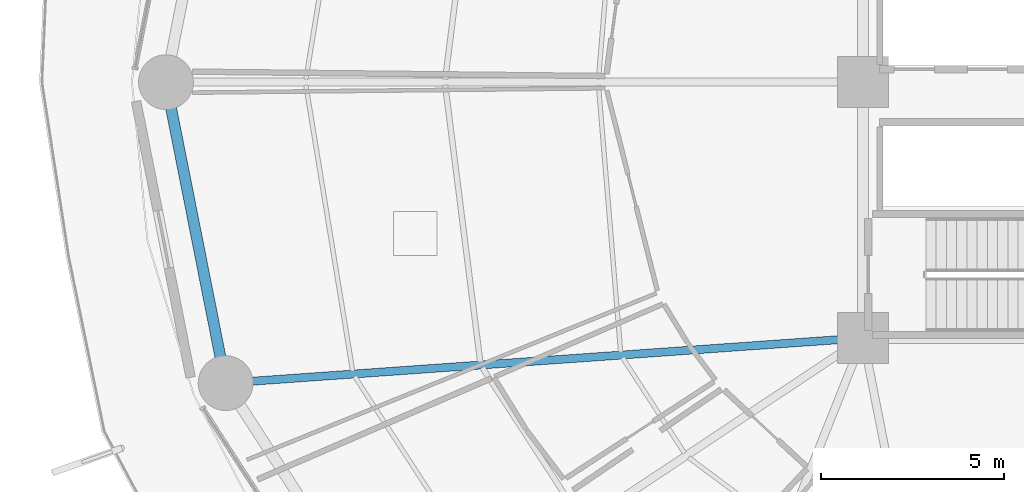
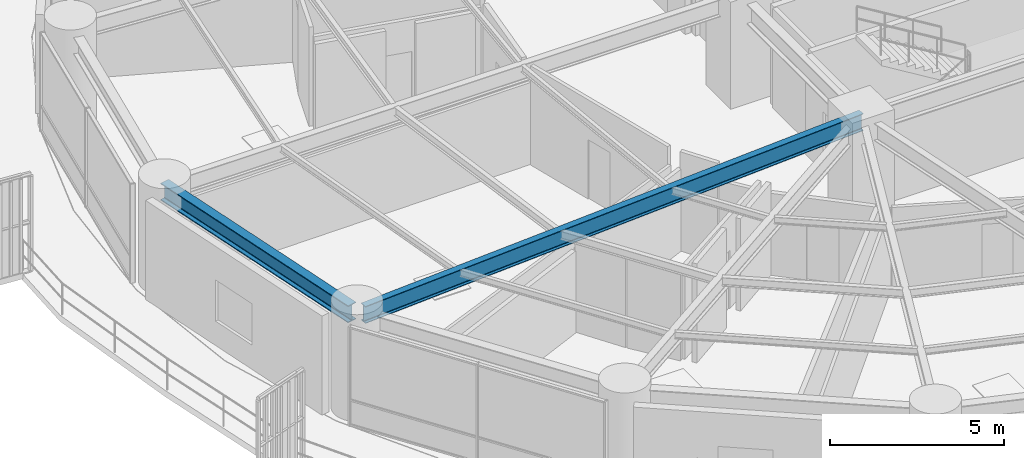
# One storey, part 5 of 34: 2 beams.
"""IFC4 building model written with IfcOpenShell, lengths in metres."""

from ifc_helpers import new_model, si_unit, direction, frame, origin, origin_2d, place, context, subcontext, project, spatial, i_section, extrude, material, material_profile, profile_set, type_object, element, save


model = new_model("IFC4")

# Units and contexts
model_context = context("Model", 3, precision=1e-05, world=origin(), true_north=direction((0.0, 1.0)))
body_context = subcontext(model_context, "Body", "Model", "MODEL_VIEW")
ifc_project = project(units=[si_unit("LENGTHUNIT", "METRE"), si_unit("AREAUNIT", "SQUARE_METRE"), si_unit("VOLUMEUNIT", "CUBIC_METRE"), si_unit("PLANEANGLEUNIT", "RADIAN"), si_unit("MASSUNIT", "GRAM", prefix="KILO")], contexts=[model_context])

# Site, building, storey
site_placement = place(None, origin())
site = spatial("IfcSite", under=ifc_project, at=site_placement, CompositionType="ELEMENT")
building_placement = place(site_placement, origin())
building = spatial("IfcBuilding", under=site, at=building_placement, Name="Kelanora Arch Commons", CompositionType="ELEMENT")
storey_placement = place(building_placement, frame((0.0, 0.0, 30.0)))
storey = spatial("IfcBuildingStorey", under=building, at=storey_placement, Name="L07", CompositionType="ELEMENT", Elevation=30.0)

# Beams
ifc_material = material(Name="Steel S355", Category="steel")
ifc_material_profile_1 = material_profile(ifc_material, i_section(OverallWidth=0.219970703125, OverallDepth=0.60009765625, WebThickness=0.011962890625, FlangeThickness=0.01904296875, FilletRadius=0.02392578125, at=origin_2d()), Name="IPE600")
ifc_profile_set_1 = profile_set([ifc_material_profile_1], Name="Steel S355")
beam_type_1 = type_object("IfcBeamType", Name="BM-RAD-Z1", PredefinedType="BEAM", material=ifc_profile_set_1)
beam_1_placement = place(storey_placement, frame((66.0, 51.0, 3.18994140625), z_axis=(-0.997500932078, -0.070653312055, 0.0), x_axis=(0.070653312055, -0.997500932078, 0.0)))
element("IfcBeam", 1, at=beam_1_placement, inside=storey, type_object=beam_type_1, Name="Radial Floor Girder BR-20 L07", PredefinedType="BEAM", context=body_context, shape_type="SweptSolid", body=[
    extrude(i_section(OverallWidth=0.219970703125, OverallDepth=0.60009765625, WebThickness=0.011962890625, FlangeThickness=0.01904296875, FilletRadius=0.02392578125, at=origin_2d()), origin(), (0.0, 0.0, 1.0), 17.2705078125),
])
ifc_material_profile_2 = material_profile(ifc_material, i_section(OverallWidth=0.300048828125, OverallDepth=0.60009765625, WebThickness=0.015380859375, FlangeThickness=0.030029296875, FilletRadius=0.027099609375, at=origin_2d()), Name="HEB600")
ifc_profile_set_2 = profile_set([ifc_material_profile_2], Name="Steel S355")
beam_type_2 = type_object("IfcBeamType", Name="BM-SPN-Z1", PredefinedType="SPANDREL", material=ifc_profile_set_2)
beam_2_placement = place(storey_placement, frame((46.919921875, 58.0, 3.18994140625), z_axis=(0.194508025468, -0.980900926714, 0.0), x_axis=(0.980900926714, 0.194508025468, 0.0)))
element("IfcBeam", 2, at=beam_2_placement, inside=storey, type_object=beam_type_2, Name="Perimeter Spandrel Beam BS-18 L07", PredefinedType="SPANDREL", context=body_context, shape_type="SweptSolid", body=[
    extrude(i_section(OverallWidth=0.300048828125, OverallDepth=0.60009765625, WebThickness=0.015380859375, FlangeThickness=0.030029296875, FilletRadius=0.027099609375, at=origin_2d()), origin(), (0.0, 0.0, 1.0), 8.17626953125),
])

save(model, "model.ifc")
